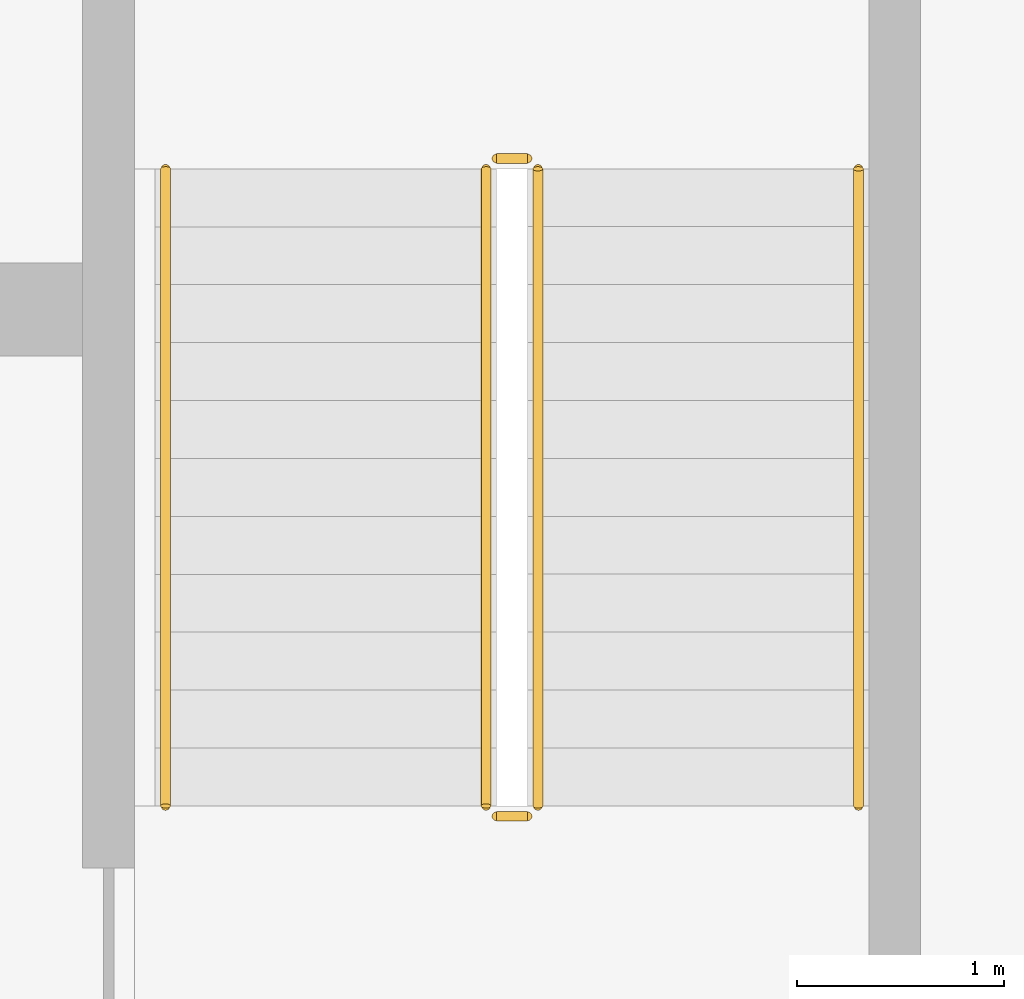
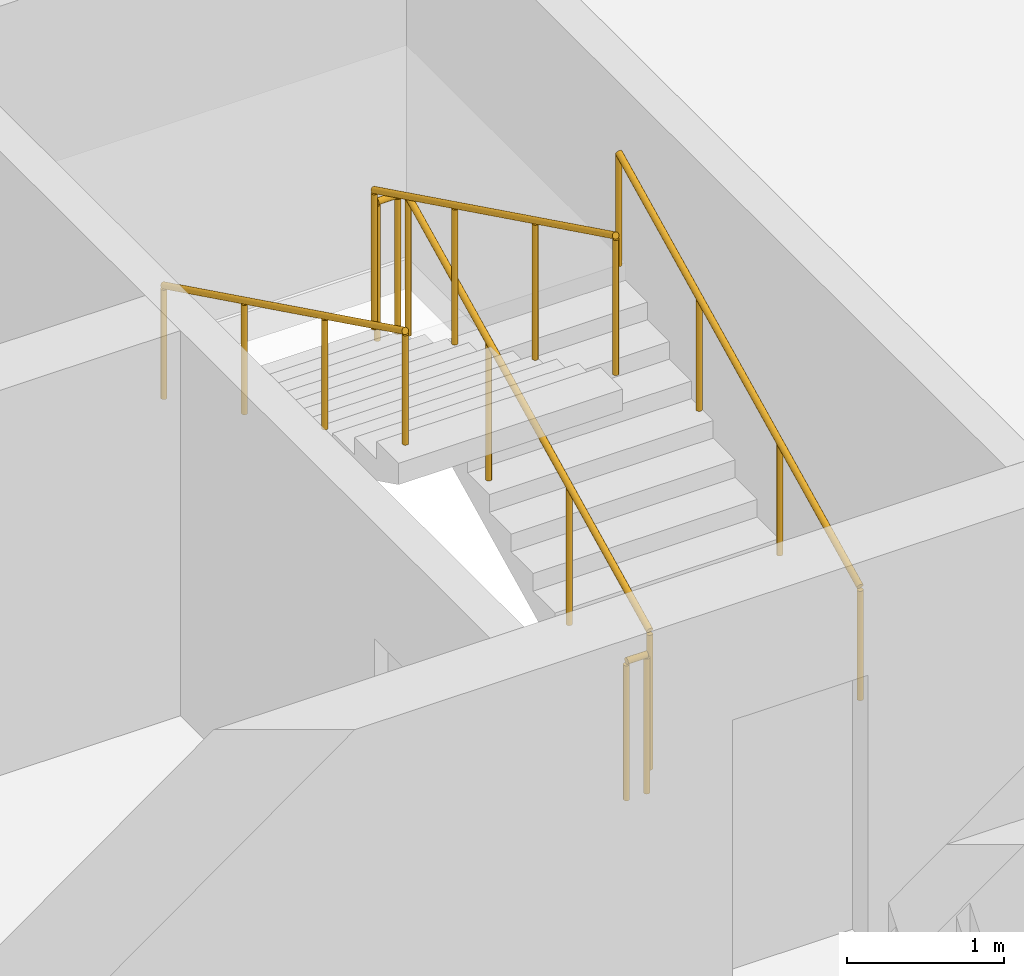
# One storey, part 16 of 32: 6 railings.
"""IFC4 building model written with IfcOpenShell, lengths in metres."""

from ifc_helpers import new_model, si_unit, direction, frame, origin, origin_2d, place, context, subcontext, project, spatial, circle, extrude, material, type_object, element, save


model = new_model("IFC4")

# Units and contexts
model_context = context("Model", 3, precision=1e-05, world=origin(), true_north=direction((0.0, 1.0)))
body_context = subcontext(model_context, "Body", "Model", "MODEL_VIEW")
ifc_project = project(units=[si_unit("LENGTHUNIT", "METRE"), si_unit("AREAUNIT", "SQUARE_METRE"), si_unit("VOLUMEUNIT", "CUBIC_METRE"), si_unit("PLANEANGLEUNIT", "RADIAN"), si_unit("MASSUNIT", "GRAM", prefix="KILO")], contexts=[model_context])

# Site, building, storey
site_placement = place(None, origin())
site = spatial("IfcSite", under=ifc_project, at=site_placement, CompositionType="ELEMENT")
building_placement = place(site_placement, origin())
building = spatial("IfcBuilding", under=site, at=building_placement, Name="Poui Terraces", CompositionType="ELEMENT")
storey_placement = place(building_placement, frame((0.0, 0.0, 155.39990234375)))
storey = spatial("IfcBuildingStorey", under=building, at=storey_placement, Name="L43", CompositionType="ELEMENT", Elevation=155.39990234375)

# Railings
ifc_material_1 = material(Name="Galvanised steel balustrade", Category="steel")
railing_type_1 = type_object("IfcRailingType", Name="STAIR GUARD 1100", PredefinedType="GUARDRAIL", material=ifc_material_1)
railing_1_placement = place(storey_placement, frame((70.27490234375, 16.60009765625, 0.1376953125)))
element("IfcRailing", 1, at=railing_1_placement, inside=storey, type_object=railing_type_1, Name="L43 ST-CE stair guard 1", PredefinedType="GUARDRAIL", context=body_context, shape_type="SweptSolid", body=[
    extrude(circle(Radius=0.02392578125, at=origin_2d()), frame((0.0, 0.0, 1.076171875), z_axis=(0.0, 0.897606190399, 0.440798283751), x_axis=(-1.0, 0.0, 0.0)), (0.0, 0.0, 1.0), 3.43115234375),
    extrude(circle(Radius=0.02099609375, at=origin_2d()), origin(), (0.0, 0.0, 1.0), 1.052001953125),
    extrude(circle(Radius=0.02099609375, at=origin_2d()), frame((0.0, 1.026611328125, 0.504150390625)), (0.0, 0.0, 1.0), 1.052001953125),
    extrude(circle(Radius=0.02099609375, at=origin_2d()), frame((0.0, 2.05322265625, 1.00830078125)), (0.0, 0.0, 1.0), 1.052001953125),
    extrude(circle(Radius=0.02099609375, at=origin_2d()), frame((0.0, 3.079833984375, 1.512451171875)), (0.0, 0.0, 1.0), 1.052001953125),
])
railing_2_placement = place(storey_placement, frame((70.22509765625, 19.72998046875, 1.650146484375)))
element("IfcRailing", 2, at=railing_2_placement, inside=storey, type_object=railing_type_1, Name="L43 ST-CE stair guard 2", PredefinedType="GUARDRAIL", context=body_context, shape_type="SweptSolid", body=[
    extrude(circle(Radius=0.02392578125, at=origin_2d()), frame((0.0, 0.0, 1.076171875), z_axis=(-1.0, 0.0, 0.0), x_axis=(0.0, -1.0, 0.0)), (0.0, 0.0, 1.0), 0.150146484375),
    extrude(circle(Radius=0.02099609375, at=origin_2d()), origin(), (0.0, 0.0, 1.0), 1.052001953125),
    extrude(circle(Radius=0.02099609375, at=origin_2d()), frame((-0.150146484375, 0.0, 0.0)), (0.0, 0.0, 1.0), 1.052001953125),
])
railing_3_placement = place(storey_placement, frame((70.02490234375, 19.679931640625, 1.78759765625)))
element("IfcRailing", 3, at=railing_3_placement, inside=storey, type_object=railing_type_1, Name="L43 ST-CE stair guard 3", PredefinedType="GUARDRAIL", context=body_context, shape_type="SweptSolid", body=[
    extrude(circle(Radius=0.02392578125, at=origin_2d()), frame((0.0, 0.0, 1.076171875), z_axis=(0.0, -0.897606190399, 0.440798283751), x_axis=(1.0, 0.0, 0.0)), (0.0, 0.0, 1.0), 3.43115234375),
    extrude(circle(Radius=0.02099609375, at=origin_2d()), origin(), (0.0, 0.0, 1.0), 1.052001953125),
    extrude(circle(Radius=0.02099609375, at=origin_2d()), frame((0.0, -1.026611328125, 0.504150390625)), (0.0, 0.0, 1.0), 1.052001953125),
    extrude(circle(Radius=0.02099609375, at=origin_2d()), frame((0.0, -2.05322265625, 1.00830078125)), (0.0, 0.0, 1.0), 1.052001953125),
    extrude(circle(Radius=0.02099609375, at=origin_2d()), frame((0.0, -3.079833984375, 1.512451171875)), (0.0, 0.0, 1.0), 1.052001953125),
])
railing_4_placement = place(storey_placement, frame((70.22509765625, 16.550048828125, 0.0)))
element("IfcRailing", 4, at=railing_4_placement, inside=storey, type_object=railing_type_1, Name="L43 ST-CE stair guard 4", PredefinedType="GUARDRAIL", context=body_context, shape_type="SweptSolid", body=[
    extrude(circle(Radius=0.02392578125, at=origin_2d()), frame((0.0, 0.0, 1.076171875), z_axis=(-1.0, 0.0, 0.0), x_axis=(0.0, -1.0, 0.0)), (0.0, 0.0, 1.0), 0.150146484375),
    extrude(circle(Radius=0.02099609375, at=origin_2d()), origin(), (0.0, 0.0, 1.0), 1.052001953125),
    extrude(circle(Radius=0.02099609375, at=origin_2d()), frame((-0.150146484375, 0.0, 0.0)), (0.0, 0.0, 1.0), 1.052001953125),
])
ifc_material_2 = material(Name="Stainless steel handrail", Category="steel")
railing_type_2 = type_object("IfcRailingType", Name="STAIR HANDRAIL 900", PredefinedType="HANDRAIL", material=ifc_material_2)
railing_5_placement = place(storey_placement, frame((71.824951171875, 16.60009765625, 0.1376953125)))
element("IfcRailing", 5, at=railing_5_placement, inside=storey, type_object=railing_type_2, Name="L43 ST-CE stair handrail 1", PredefinedType="HANDRAIL", context=body_context, shape_type="SweptSolid", body=[
    extrude(circle(Radius=0.02392578125, at=origin_2d()), frame((0.0, 0.0, 0.8759765625), z_axis=(0.0, 0.897606190399, 0.440798283751), x_axis=(-1.0, 0.0, 0.0)), (0.0, 0.0, 1.0), 3.43115234375),
    extrude(circle(Radius=0.02099609375, at=origin_2d()), origin(), (0.0, 0.0, 1.0), 0.851806640625),
    extrude(circle(Radius=0.02099609375, at=origin_2d()), frame((0.0, 1.026611328125, 0.504150390625)), (0.0, 0.0, 1.0), 0.851806640625),
    extrude(circle(Radius=0.02099609375, at=origin_2d()), frame((0.0, 2.05322265625, 1.00830078125)), (0.0, 0.0, 1.0), 0.851806640625),
    extrude(circle(Radius=0.02099609375, at=origin_2d()), frame((0.0, 3.079833984375, 1.512451171875)), (0.0, 0.0, 1.0), 0.851806640625),
])
railing_6_placement = place(storey_placement, frame((68.47509765625, 19.679931640625, 1.78759765625)))
element("IfcRailing", 6, at=railing_6_placement, inside=storey, type_object=railing_type_2, Name="L43 ST-CE stair handrail 2", PredefinedType="HANDRAIL", context=body_context, shape_type="SweptSolid", body=[
    extrude(circle(Radius=0.02392578125, at=origin_2d()), frame((0.0, 0.0, 0.8759765625), z_axis=(0.0, -0.897606190399, 0.440798283751), x_axis=(1.0, 0.0, 0.0)), (0.0, 0.0, 1.0), 3.43115234375),
    extrude(circle(Radius=0.02099609375, at=origin_2d()), origin(), (0.0, 0.0, 1.0), 0.851806640625),
    extrude(circle(Radius=0.02099609375, at=origin_2d()), frame((0.0, -1.026611328125, 0.504150390625)), (0.0, 0.0, 1.0), 0.851806640625),
    extrude(circle(Radius=0.02099609375, at=origin_2d()), frame((0.0, -2.05322265625, 1.00830078125)), (0.0, 0.0, 1.0), 0.851806640625),
    extrude(circle(Radius=0.02099609375, at=origin_2d()), frame((0.0, -3.079833984375, 1.512451171875)), (0.0, 0.0, 1.0), 0.851806640625),
])

save(model, "model.ifc")
